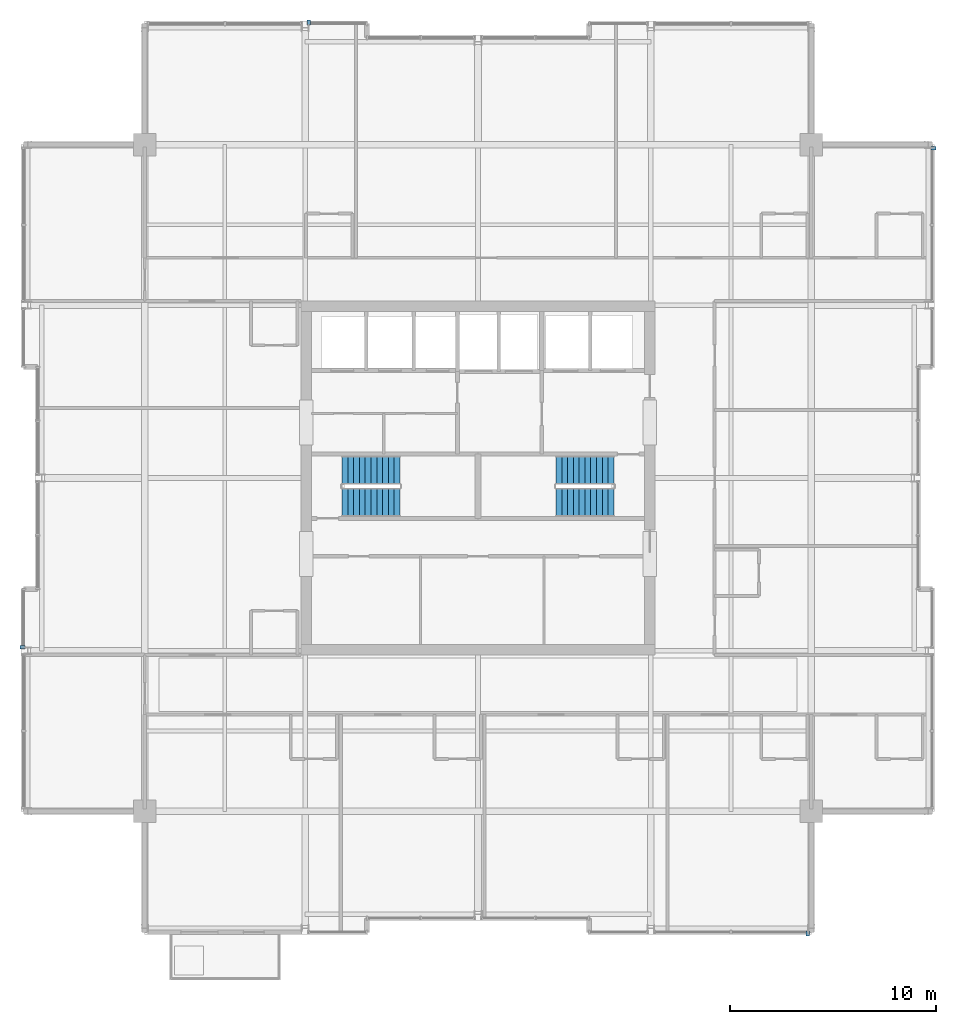
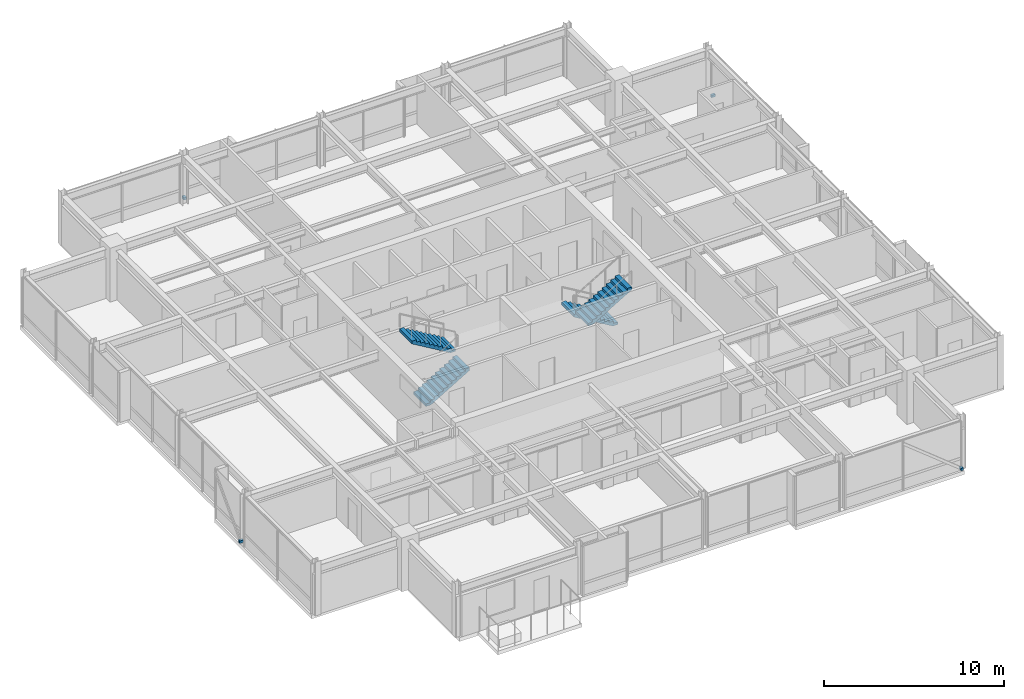
# One storey, part 31 of 34: 4 discrete accessories, 4 stair flights, 2 elements without a shape of their own.
"""IFC4 building model written with IfcOpenShell, lengths in metres."""

from ifc_helpers import new_model, si_unit, direction, frame, origin, origin_2d, place, context, subcontext, project, spatial, polyline, rectangle, outline, extrude, material, type_object, element, aggregate, save


model = new_model("IFC4")

# Units and contexts
model_context = context("Model", 3, precision=1e-05, world=origin(), true_north=direction((0.0, 1.0)))
body_context = subcontext(model_context, "Body", "Model", "MODEL_VIEW")
ifc_project = project(units=[si_unit("LENGTHUNIT", "METRE"), si_unit("AREAUNIT", "SQUARE_METRE"), si_unit("VOLUMEUNIT", "CUBIC_METRE"), si_unit("PLANEANGLEUNIT", "RADIAN"), si_unit("MASSUNIT", "GRAM", prefix="KILO")], contexts=[model_context])

# Site, building, storey
site_placement = place(None, origin())
site = spatial("IfcSite", under=ifc_project, at=site_placement, CompositionType="ELEMENT")
building_placement = place(site_placement, origin())
building = spatial("IfcBuilding", under=site, at=building_placement, Name="Drelvath Grand Hotel", CompositionType="ELEMENT")
storey_placement = place(building_placement, frame((0.0, 0.0, 290.550048828125)))
storey = spatial("IfcBuildingStorey", under=building, at=storey_placement, Name="L76", CompositionType="ELEMENT", Elevation=290.550048828125)

# Stair, stair flights
ifc_material_1 = material(Name="Concrete C40/50", Category="concrete")
stair_type = type_object("IfcStairType", Name="Dogleg Exit Stair W1400-R165.9", PredefinedType="HALF_TURN_STAIR", material=ifc_material_1)
stair_1_placement = place(storey_placement, origin())
stair_1 = element("IfcStair", 1, at=stair_1_placement, inside=storey, type_object=stair_type, Name="L76 Core Exit Stair ST-1", PredefinedType="HALF_TURN_STAIR")
stair_flight_type = type_object("IfcStairFlightType", Name="Concrete Stair Flight W1400-R165.9", PredefinedType="STRAIGHT", material=ifc_material_1)
stair_flight_1_placement = place(storey_placement, frame((-6.60009765625, 25.820068359375, 0.0), z_axis=(0.0, 0.0, 1.0), x_axis=(1.0, 0.0, 0.0)))
stair_flight_1 = element("IfcStairFlight", 2, at=stair_flight_1_placement, type_object=stair_flight_type, Name="ST-1 flight 1", NumberOfRisers=11, NumberOfTreads=10, PredefinedType="STRAIGHT", RiserHeight=0.165909091, TreadLength=0.28, context=body_context, shape_type="SweptSolid", body=[
    extrude(outline(polyline([(0.0, 0.0), (0.0, 0.166015625), (0.280029296875, 0.166015625), (0.280029296875, 0.331787109375), (0.56005859375, 0.331787109375), (0.56005859375, 0.497802734375), (0.840087890625, 0.497802734375), (0.840087890625, 0.66357421875), (1.1201171875, 0.66357421875), (1.1201171875, 0.82958984375), (1.39990234375, 0.82958984375), (1.39990234375, 0.995361328125), (1.679931640625, 0.995361328125), (1.679931640625, 1.161376953125), (1.9599609375, 1.161376953125), (1.9599609375, 1.327392578125), (2.239990234375, 1.327392578125), (2.239990234375, 1.4931640625), (2.52001953125, 1.4931640625), (2.52001953125, 1.6591796875), (2.800048828125, 1.6591796875), (2.800048828125, 1.824951171875), (2.800048828125, 1.47314453125), (0.313720703125, 0.0), (0.0, 0.0)])), frame((0.0, 0.699951171875, 0.0), z_axis=(0.0, -1.0, 0.0), x_axis=(1.0, 0.0, 0.0)), (0.0, 0.0, 1.0), 1.39990234375),
])
stair_flight_2_placement = place(storey_placement, frame((-3.800048828125, 27.3798828125, 1.824951171875), z_axis=(0.0, 0.0, 1.0), x_axis=(-1.0, 0.0, 0.0)))
stair_flight_2 = element("IfcStairFlight", 3, at=stair_flight_2_placement, type_object=stair_flight_type, Name="ST-1 flight 2", NumberOfRisers=11, NumberOfTreads=10, PredefinedType="STRAIGHT", RiserHeight=0.165909091, TreadLength=0.28, context=body_context, shape_type="SweptSolid", body=[
    extrude(outline(polyline([(0.0, 0.0), (0.0, 0.166015625), (0.280029296875, 0.166015625), (0.280029296875, 0.331787109375), (0.56005859375, 0.331787109375), (0.56005859375, 0.497802734375), (0.840087890625, 0.497802734375), (0.840087890625, 0.66357421875), (1.1201171875, 0.66357421875), (1.1201171875, 0.82958984375), (1.39990234375, 0.82958984375), (1.39990234375, 0.995361328125), (1.679931640625, 0.995361328125), (1.679931640625, 1.161376953125), (1.9599609375, 1.161376953125), (1.9599609375, 1.327392578125), (2.239990234375, 1.327392578125), (2.239990234375, 1.4931640625), (2.52001953125, 1.4931640625), (2.52001953125, 1.6591796875), (2.800048828125, 1.6591796875), (2.800048828125, 1.824951171875), (2.800048828125, 1.47314453125), (0.313720703125, 0.0), (0.0, 0.0)])), frame((0.0, 0.699951171875, 0.0), z_axis=(0.0, -1.0, 0.0), x_axis=(1.0, 0.0, 0.0)), (0.0, 0.0, 1.0), 1.39990234375),
])
aggregate(stair_1, [stair_flight_1, stair_flight_2])

stair_2_placement = place(storey_placement, origin())
stair_2 = element("IfcStair", 4, at=stair_2_placement, inside=storey, type_object=stair_type, Name="L76 Core Exit Stair ST-2", PredefinedType="HALF_TURN_STAIR")
stair_flight_3_placement = place(storey_placement, frame((6.60009765625, 27.3798828125, 0.0), z_axis=(0.0, 0.0, 1.0), x_axis=(-1.0, 0.0, 0.0)))
stair_flight_3 = element("IfcStairFlight", 5, at=stair_flight_3_placement, type_object=stair_flight_type, Name="ST-2 flight 1", NumberOfRisers=11, NumberOfTreads=10, PredefinedType="STRAIGHT", RiserHeight=0.165909091, TreadLength=0.28, context=body_context, shape_type="SweptSolid", body=[
    extrude(outline(polyline([(0.0, 0.0), (0.0, 0.166015625), (0.280029296875, 0.166015625), (0.280029296875, 0.331787109375), (0.56005859375, 0.331787109375), (0.56005859375, 0.497802734375), (0.840087890625, 0.497802734375), (0.840087890625, 0.66357421875), (1.1201171875, 0.66357421875), (1.1201171875, 0.82958984375), (1.39990234375, 0.82958984375), (1.39990234375, 0.995361328125), (1.679931640625, 0.995361328125), (1.679931640625, 1.161376953125), (1.9599609375, 1.161376953125), (1.9599609375, 1.327392578125), (2.239990234375, 1.327392578125), (2.239990234375, 1.4931640625), (2.52001953125, 1.4931640625), (2.52001953125, 1.6591796875), (2.800048828125, 1.6591796875), (2.800048828125, 1.824951171875), (2.800048828125, 1.47314453125), (0.313720703125, 0.0), (0.0, 0.0)])), frame((0.0, 0.699951171875, 0.0), z_axis=(0.0, -1.0, 0.0), x_axis=(1.0, 0.0, 0.0)), (0.0, 0.0, 1.0), 1.39990234375),
])
stair_flight_4_placement = place(storey_placement, frame((3.800048828125, 25.820068359375, 1.824951171875), z_axis=(0.0, 0.0, 1.0), x_axis=(1.0, 0.0, 0.0)))
stair_flight_4 = element("IfcStairFlight", 6, at=stair_flight_4_placement, type_object=stair_flight_type, Name="ST-2 flight 2", NumberOfRisers=11, NumberOfTreads=10, PredefinedType="STRAIGHT", RiserHeight=0.165909091, TreadLength=0.28, context=body_context, shape_type="SweptSolid", body=[
    extrude(outline(polyline([(0.0, 0.0), (0.0, 0.166015625), (0.280029296875, 0.166015625), (0.280029296875, 0.331787109375), (0.56005859375, 0.331787109375), (0.56005859375, 0.497802734375), (0.840087890625, 0.497802734375), (0.840087890625, 0.66357421875), (1.1201171875, 0.66357421875), (1.1201171875, 0.82958984375), (1.39990234375, 0.82958984375), (1.39990234375, 0.995361328125), (1.679931640625, 0.995361328125), (1.679931640625, 1.161376953125), (1.9599609375, 1.161376953125), (1.9599609375, 1.327392578125), (2.239990234375, 1.327392578125), (2.239990234375, 1.4931640625), (2.52001953125, 1.4931640625), (2.52001953125, 1.6591796875), (2.800048828125, 1.6591796875), (2.800048828125, 1.824951171875), (2.800048828125, 1.47314453125), (0.313720703125, 0.0), (0.0, 0.0)])), frame((0.0, 0.699951171875, 0.0), z_axis=(0.0, -1.0, 0.0), x_axis=(1.0, 0.0, 0.0)), (0.0, 0.0, 1.0), 1.39990234375),
])
aggregate(stair_2, [stair_flight_3, stair_flight_4])

# Discrete accessories
ifc_material_2 = material(Name="Stainless Steel Grade 316", Category="steel")
discrete_accessory_type = type_object("IfcDiscreteAccessoryType", Name="Curtain Wall Fin Mounting Bracket Cleat", PredefinedType="BRACKET", material=ifc_material_2)
for number, where, z_axis, x_axis, name in (
    (7, (-22.139892578125, 18.77001953125, 0.10009765625), (0.0, 0.0, 1.0), (0.0, 1.0, 0.0), "L76 Fin Mounting Bracket CW05-L76-WS2-1"),
    (8, (22.139892578125, 43.030029296875, 0.10009765625), (0.0, 0.0, 1.0), (0.0, -1.0, 0.0), "L76 Fin Mounting Bracket CW05-L76-EN2-1"),
    (9, (-8.22998046875, 49.139892578125, 0.10009765625), (0.0, 0.0, 1.0), (1.0, 0.0, 0.0), "L76 Fin Mounting Bracket CW05-L76-NW2-1"),
    (10, (16.02978515625, 4.860107421875, 0.10009765625), (0.0, 0.0, 1.0), (-1.0, 0.0, 0.0), "L76 Fin Mounting Bracket CW05-L76-SE2-1"),
):
    element("IfcDiscreteAccessory", number, at=place(storey_placement, frame(where, z_axis=z_axis, x_axis=x_axis)), inside=storey, type_object=discrete_accessory_type, Name=name, PredefinedType="BRACKET", context=body_context, shape_type="SweptSolid", body=[
        extrude(rectangle(XDim=0.159912109375, YDim=0.239990234375, at=origin_2d()), origin(), (0.0, 0.0, 1.0), 0.159912109375),
    ])

save(model, "model.ifc")
